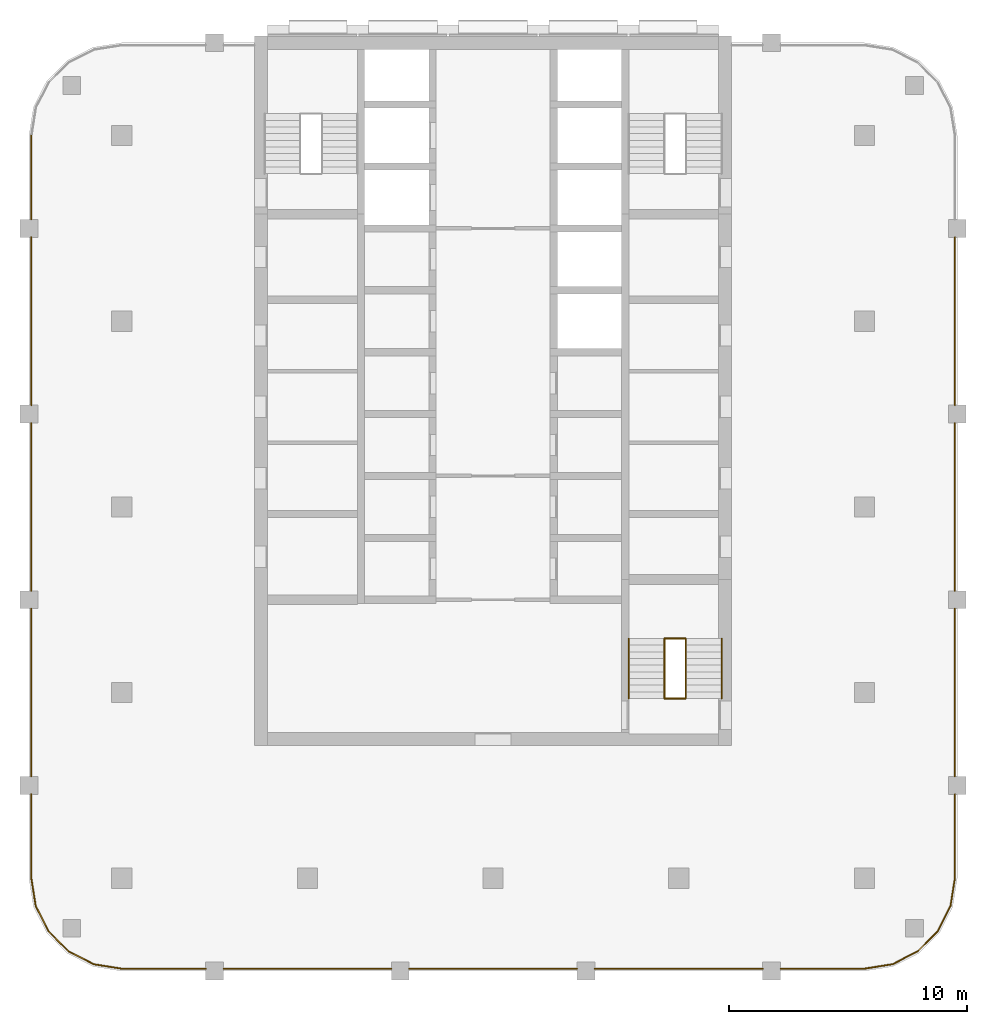
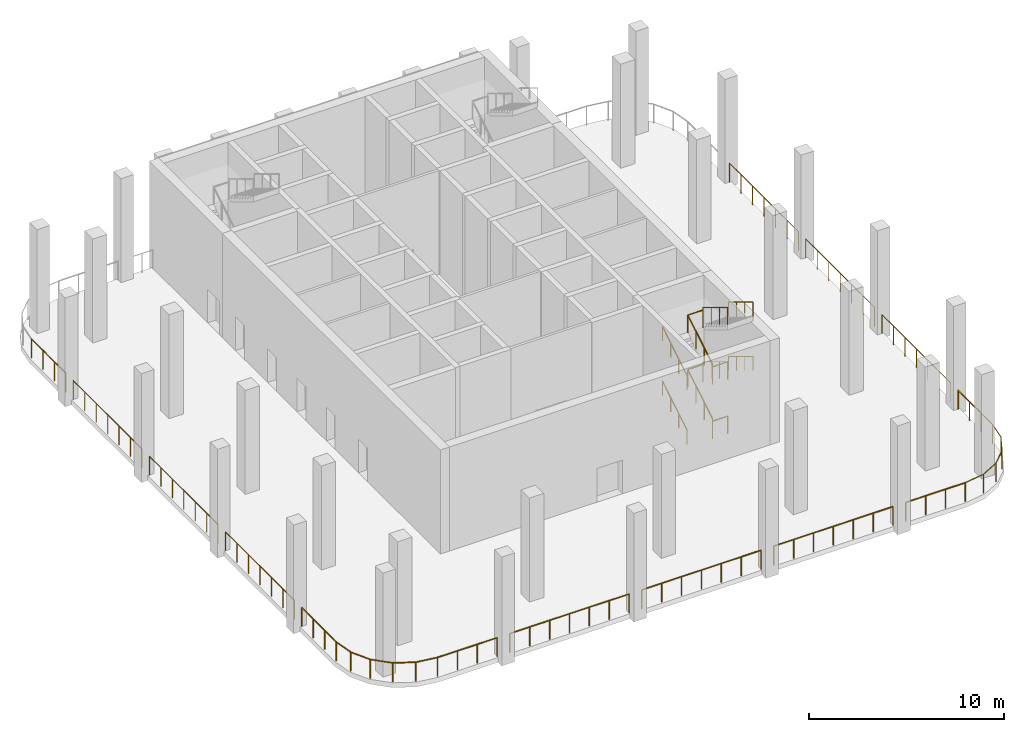
# One storey, part 8 of 10: 28 railings, 1 element without a shape of its own.
"""IFC4 building model written with IfcOpenShell, lengths in metres."""

from ifc_helpers import new_model, si_unit, direction, frame, origin, origin_2d, place, context, subcontext, project, spatial, circle, extrude, material, type_object, element, aggregate, save


model = new_model("IFC4")

# Units and contexts
model_context = context("Model", 3, precision=1e-05, world=origin(), true_north=direction((0.0, 1.0)))
body_context = subcontext(model_context, "Body", "Model", "MODEL_VIEW")
ifc_project = project(units=[si_unit("LENGTHUNIT", "METRE"), si_unit("AREAUNIT", "SQUARE_METRE"), si_unit("VOLUMEUNIT", "CUBIC_METRE"), si_unit("PLANEANGLEUNIT", "RADIAN"), si_unit("MASSUNIT", "GRAM", prefix="KILO")], contexts=[model_context])

# Site, building, storey
site_placement = place(None, origin())
site = spatial("IfcSite", under=ifc_project, at=site_placement, CompositionType="ELEMENT")
building_placement = place(site_placement, origin())
building = spatial("IfcBuilding", under=site, at=building_placement, Name="Ludao Terraces", CompositionType="ELEMENT")
storey_placement = place(building_placement, frame((0.0, 0.0, 172.39990234375)))
storey = spatial("IfcBuildingStorey", under=building, at=storey_placement, Name="L47", CompositionType="ELEMENT", Elevation=172.39990234375)

# Railings
ifc_material_1 = material(Name="Steel Q235", Category="steel")
railing_type_1 = type_object("IfcRailingType", Name="ENV Open-edge guard 1200", PredefinedType="GUARDRAIL", material=ifc_material_1)
railing_1_placement = place(storey_placement, frame((69.39990234375, 45.60009765625, 0.0)))
element("IfcRailing", 1, at=railing_1_placement, inside=storey, type_object=railing_type_1, Name="Guard L47 S1", PredefinedType="GUARDRAIL", context=body_context, shape_type="SweptSolid", body=[
    extrude(circle(Radius=0.02392578125, at=origin_2d()), frame((0.0, 0.0, 1.17578125), z_axis=(1.0, 0.0, 0.0), x_axis=(0.0, 1.0, 0.0)), (0.0, 0.0, 1.0), 3.525146484375),
    extrude(circle(Radius=0.02099609375, at=origin_2d()), origin(), (0.0, 0.0, 1.0), 1.15185546875),
    extrude(circle(Radius=0.02099609375, at=origin_2d()), frame((1.175048828125, 0.0, 0.0)), (0.0, 0.0, 1.0), 1.15185546875),
    extrude(circle(Radius=0.02099609375, at=origin_2d()), frame((2.35009765625, 0.0, 0.0)), (0.0, 0.0, 1.0), 1.15185546875),
    extrude(circle(Radius=0.02099609375, at=origin_2d()), frame((3.525146484375, 0.0, 0.0)), (0.0, 0.0, 1.0), 1.15185546875),
])
railing_2_placement = place(storey_placement, frame((73.675048828125, 45.60009765625, 0.0)))
element("IfcRailing", 2, at=railing_2_placement, inside=storey, type_object=railing_type_1, Name="Guard L47 S2", PredefinedType="GUARDRAIL", context=body_context, shape_type="SweptSolid", body=[
    extrude(circle(Radius=0.02392578125, at=origin_2d()), frame((0.0, 0.0, 1.17578125), z_axis=(1.0, 0.0, 0.0), x_axis=(0.0, 1.0, 0.0)), (0.0, 0.0, 1.0), 7.050048828125),
    extrude(circle(Radius=0.02099609375, at=origin_2d()), origin(), (0.0, 0.0, 1.0), 1.15185546875),
    extrude(circle(Radius=0.02099609375, at=origin_2d()), frame((1.175048828125, 0.0, 0.0)), (0.0, 0.0, 1.0), 1.15185546875),
    extrude(circle(Radius=0.02099609375, at=origin_2d()), frame((2.35009765625, 0.0, 0.0)), (0.0, 0.0, 1.0), 1.15185546875),
    extrude(circle(Radius=0.02099609375, at=origin_2d()), frame((3.52490234375, 0.0, 0.0)), (0.0, 0.0, 1.0), 1.15185546875),
    extrude(circle(Radius=0.02099609375, at=origin_2d()), frame((4.699951171875, 0.0, 0.0)), (0.0, 0.0, 1.0), 1.15185546875),
    extrude(circle(Radius=0.02099609375, at=origin_2d()), frame((5.875, 0.0, 0.0)), (0.0, 0.0, 1.0), 1.15185546875),
    extrude(circle(Radius=0.02099609375, at=origin_2d()), frame((7.050048828125, 0.0, 0.0)), (0.0, 0.0, 1.0), 1.15185546875),
])
railing_3_placement = place(storey_placement, frame((81.47509765625, 45.60009765625, 0.0)))
element("IfcRailing", 3, at=railing_3_placement, inside=storey, type_object=railing_type_1, Name="Guard L47 S3", PredefinedType="GUARDRAIL", context=body_context, shape_type="SweptSolid", body=[
    extrude(circle(Radius=0.02392578125, at=origin_2d()), frame((0.0, 0.0, 1.17578125), z_axis=(1.0, 0.0, 0.0), x_axis=(0.0, 1.0, 0.0)), (0.0, 0.0, 1.0), 7.0498046875),
    extrude(circle(Radius=0.02099609375, at=origin_2d()), origin(), (0.0, 0.0, 1.0), 1.15185546875),
    extrude(circle(Radius=0.02099609375, at=origin_2d()), frame((1.175048828125, 0.0, 0.0)), (0.0, 0.0, 1.0), 1.15185546875),
    extrude(circle(Radius=0.02099609375, at=origin_2d()), frame((2.349853515625, 0.0, 0.0)), (0.0, 0.0, 1.0), 1.15185546875),
    extrude(circle(Radius=0.02099609375, at=origin_2d()), frame((3.52490234375, 0.0, 0.0)), (0.0, 0.0, 1.0), 1.15185546875),
    extrude(circle(Radius=0.02099609375, at=origin_2d()), frame((4.699951171875, 0.0, 0.0)), (0.0, 0.0, 1.0), 1.15185546875),
    extrude(circle(Radius=0.02099609375, at=origin_2d()), frame((5.874755859375, 0.0, 0.0)), (0.0, 0.0, 1.0), 1.15185546875),
    extrude(circle(Radius=0.02099609375, at=origin_2d()), frame((7.0498046875, 0.0, 0.0)), (0.0, 0.0, 1.0), 1.15185546875),
])
railing_4_placement = place(storey_placement, frame((89.27490234375, 45.60009765625, 0.0)))
element("IfcRailing", 4, at=railing_4_placement, inside=storey, type_object=railing_type_1, Name="Guard L47 S4", PredefinedType="GUARDRAIL", context=body_context, shape_type="SweptSolid", body=[
    extrude(circle(Radius=0.02392578125, at=origin_2d()), frame((0.0, 0.0, 1.17578125), z_axis=(1.0, 0.0, 0.0), x_axis=(0.0, 1.0, 0.0)), (0.0, 0.0, 1.0), 7.050048828125),
    extrude(circle(Radius=0.02099609375, at=origin_2d()), origin(), (0.0, 0.0, 1.0), 1.15185546875),
    extrude(circle(Radius=0.02099609375, at=origin_2d()), frame((1.175048828125, 0.0, 0.0)), (0.0, 0.0, 1.0), 1.15185546875),
    extrude(circle(Radius=0.02099609375, at=origin_2d()), frame((2.35009765625, 0.0, 0.0)), (0.0, 0.0, 1.0), 1.15185546875),
    extrude(circle(Radius=0.02099609375, at=origin_2d()), frame((3.52490234375, 0.0, 0.0)), (0.0, 0.0, 1.0), 1.15185546875),
    extrude(circle(Radius=0.02099609375, at=origin_2d()), frame((4.699951171875, 0.0, 0.0)), (0.0, 0.0, 1.0), 1.15185546875),
    extrude(circle(Radius=0.02099609375, at=origin_2d()), frame((5.875, 0.0, 0.0)), (0.0, 0.0, 1.0), 1.15185546875),
    extrude(circle(Radius=0.02099609375, at=origin_2d()), frame((7.050048828125, 0.0, 0.0)), (0.0, 0.0, 1.0), 1.15185546875),
])
railing_5_placement = place(storey_placement, frame((97.074951171875, 45.60009765625, 0.0)))
element("IfcRailing", 5, at=railing_5_placement, inside=storey, type_object=railing_type_1, Name="Guard L47 S5", PredefinedType="GUARDRAIL", context=body_context, shape_type="SweptSolid", body=[
    extrude(circle(Radius=0.02392578125, at=origin_2d()), frame((0.0, 0.0, 1.17578125), z_axis=(1.0, 0.0, 0.0), x_axis=(0.0, 1.0, 0.0)), (0.0, 0.0, 1.0), 3.525146484375),
    extrude(circle(Radius=0.02099609375, at=origin_2d()), origin(), (0.0, 0.0, 1.0), 1.15185546875),
    extrude(circle(Radius=0.02099609375, at=origin_2d()), frame((1.175048828125, 0.0, 0.0)), (0.0, 0.0, 1.0), 1.15185546875),
    extrude(circle(Radius=0.02099609375, at=origin_2d()), frame((2.35009765625, 0.0, 0.0)), (0.0, 0.0, 1.0), 1.15185546875),
    extrude(circle(Radius=0.02099609375, at=origin_2d()), frame((3.525146484375, 0.0, 0.0)), (0.0, 0.0, 1.0), 1.15185546875),
])
railing_6_placement = place(storey_placement, frame((104.39990234375, 49.39990234375, 0.0)))
element("IfcRailing", 6, at=railing_6_placement, inside=storey, type_object=railing_type_1, Name="Guard L47 E1", PredefinedType="GUARDRAIL", context=body_context, shape_type="SweptSolid", body=[
    extrude(circle(Radius=0.02392578125, at=origin_2d()), frame((0.0, 0.0, 1.17578125), z_axis=(0.0, 1.0, 0.0), x_axis=(-1.0, 0.0, 0.0)), (0.0, 0.0, 1.0), 3.525146484375),
    extrude(circle(Radius=0.02099609375, at=origin_2d()), origin(), (0.0, 0.0, 1.0), 1.15185546875),
    extrude(circle(Radius=0.02099609375, at=origin_2d()), frame((0.0, 1.175048828125, 0.0)), (0.0, 0.0, 1.0), 1.15185546875),
    extrude(circle(Radius=0.02099609375, at=origin_2d()), frame((0.0, 2.35009765625, 0.0)), (0.0, 0.0, 1.0), 1.15185546875),
    extrude(circle(Radius=0.02099609375, at=origin_2d()), frame((0.0, 3.525146484375, 0.0)), (0.0, 0.0, 1.0), 1.15185546875),
])
railing_7_placement = place(storey_placement, frame((104.39990234375, 53.675048828125, 0.0)))
element("IfcRailing", 7, at=railing_7_placement, inside=storey, type_object=railing_type_1, Name="Guard L47 E2", PredefinedType="GUARDRAIL", context=body_context, shape_type="SweptSolid", body=[
    extrude(circle(Radius=0.02392578125, at=origin_2d()), frame((0.0, 0.0, 1.17578125), z_axis=(0.0, 1.0, 0.0), x_axis=(-1.0, 0.0, 0.0)), (0.0, 0.0, 1.0), 7.050048828125),
    extrude(circle(Radius=0.02099609375, at=origin_2d()), origin(), (0.0, 0.0, 1.0), 1.15185546875),
    extrude(circle(Radius=0.02099609375, at=origin_2d()), frame((0.0, 1.175048828125, 0.0)), (0.0, 0.0, 1.0), 1.15185546875),
    extrude(circle(Radius=0.02099609375, at=origin_2d()), frame((0.0, 2.35009765625, 0.0)), (0.0, 0.0, 1.0), 1.15185546875),
    extrude(circle(Radius=0.02099609375, at=origin_2d()), frame((0.0, 3.52490234375, 0.0)), (0.0, 0.0, 1.0), 1.15185546875),
    extrude(circle(Radius=0.02099609375, at=origin_2d()), frame((0.0, 4.699951171875, 0.0)), (0.0, 0.0, 1.0), 1.15185546875),
    extrude(circle(Radius=0.02099609375, at=origin_2d()), frame((0.0, 5.875, 0.0)), (0.0, 0.0, 1.0), 1.15185546875),
    extrude(circle(Radius=0.02099609375, at=origin_2d()), frame((0.0, 7.050048828125, 0.0)), (0.0, 0.0, 1.0), 1.15185546875),
])
railing_8_placement = place(storey_placement, frame((104.39990234375, 61.47509765625, 0.0)))
element("IfcRailing", 8, at=railing_8_placement, inside=storey, type_object=railing_type_1, Name="Guard L47 E3", PredefinedType="GUARDRAIL", context=body_context, shape_type="SweptSolid", body=[
    extrude(circle(Radius=0.02392578125, at=origin_2d()), frame((0.0, 0.0, 1.17578125), z_axis=(0.0, 1.0, 0.0), x_axis=(-1.0, 0.0, 0.0)), (0.0, 0.0, 1.0), 7.0498046875),
    extrude(circle(Radius=0.02099609375, at=origin_2d()), origin(), (0.0, 0.0, 1.0), 1.15185546875),
    extrude(circle(Radius=0.02099609375, at=origin_2d()), frame((0.0, 1.175048828125, 0.0)), (0.0, 0.0, 1.0), 1.15185546875),
    extrude(circle(Radius=0.02099609375, at=origin_2d()), frame((0.0, 2.349853515625, 0.0)), (0.0, 0.0, 1.0), 1.15185546875),
    extrude(circle(Radius=0.02099609375, at=origin_2d()), frame((0.0, 3.52490234375, 0.0)), (0.0, 0.0, 1.0), 1.15185546875),
    extrude(circle(Radius=0.02099609375, at=origin_2d()), frame((0.0, 4.699951171875, 0.0)), (0.0, 0.0, 1.0), 1.15185546875),
    extrude(circle(Radius=0.02099609375, at=origin_2d()), frame((0.0, 5.874755859375, 0.0)), (0.0, 0.0, 1.0), 1.15185546875),
    extrude(circle(Radius=0.02099609375, at=origin_2d()), frame((0.0, 7.0498046875, 0.0)), (0.0, 0.0, 1.0), 1.15185546875),
])
railing_9_placement = place(storey_placement, frame((104.39990234375, 69.27490234375, 0.0)))
element("IfcRailing", 9, at=railing_9_placement, inside=storey, type_object=railing_type_1, Name="Guard L47 E4", PredefinedType="GUARDRAIL", context=body_context, shape_type="SweptSolid", body=[
    extrude(circle(Radius=0.02392578125, at=origin_2d()), frame((0.0, 0.0, 1.17578125), z_axis=(0.0, 1.0, 0.0), x_axis=(-1.0, 0.0, 0.0)), (0.0, 0.0, 1.0), 7.050048828125),
    extrude(circle(Radius=0.02099609375, at=origin_2d()), origin(), (0.0, 0.0, 1.0), 1.15185546875),
    extrude(circle(Radius=0.02099609375, at=origin_2d()), frame((0.0, 1.175048828125, 0.0)), (0.0, 0.0, 1.0), 1.15185546875),
    extrude(circle(Radius=0.02099609375, at=origin_2d()), frame((0.0, 2.35009765625, 0.0)), (0.0, 0.0, 1.0), 1.15185546875),
    extrude(circle(Radius=0.02099609375, at=origin_2d()), frame((0.0, 3.52490234375, 0.0)), (0.0, 0.0, 1.0), 1.15185546875),
    extrude(circle(Radius=0.02099609375, at=origin_2d()), frame((0.0, 4.699951171875, 0.0)), (0.0, 0.0, 1.0), 1.15185546875),
    extrude(circle(Radius=0.02099609375, at=origin_2d()), frame((0.0, 5.875, 0.0)), (0.0, 0.0, 1.0), 1.15185546875),
    extrude(circle(Radius=0.02099609375, at=origin_2d()), frame((0.0, 7.050048828125, 0.0)), (0.0, 0.0, 1.0), 1.15185546875),
])
railing_10_placement = place(storey_placement, frame((65.60009765625, 49.39990234375, 0.0)))
element("IfcRailing", 10, at=railing_10_placement, inside=storey, type_object=railing_type_1, Name="Guard L47 W1", PredefinedType="GUARDRAIL", context=body_context, shape_type="SweptSolid", body=[
    extrude(circle(Radius=0.02392578125, at=origin_2d()), frame((0.0, 0.0, 1.17578125), z_axis=(0.0, 1.0, 0.0), x_axis=(-1.0, 0.0, 0.0)), (0.0, 0.0, 1.0), 3.525146484375),
    extrude(circle(Radius=0.02099609375, at=origin_2d()), origin(), (0.0, 0.0, 1.0), 1.15185546875),
    extrude(circle(Radius=0.02099609375, at=origin_2d()), frame((0.0, 1.175048828125, 0.0)), (0.0, 0.0, 1.0), 1.15185546875),
    extrude(circle(Radius=0.02099609375, at=origin_2d()), frame((0.0, 2.35009765625, 0.0)), (0.0, 0.0, 1.0), 1.15185546875),
    extrude(circle(Radius=0.02099609375, at=origin_2d()), frame((0.0, 3.525146484375, 0.0)), (0.0, 0.0, 1.0), 1.15185546875),
])
railing_11_placement = place(storey_placement, frame((65.60009765625, 53.675048828125, 0.0)))
element("IfcRailing", 11, at=railing_11_placement, inside=storey, type_object=railing_type_1, Name="Guard L47 W2", PredefinedType="GUARDRAIL", context=body_context, shape_type="SweptSolid", body=[
    extrude(circle(Radius=0.02392578125, at=origin_2d()), frame((0.0, 0.0, 1.17578125), z_axis=(0.0, 1.0, 0.0), x_axis=(-1.0, 0.0, 0.0)), (0.0, 0.0, 1.0), 7.050048828125),
    extrude(circle(Radius=0.02099609375, at=origin_2d()), origin(), (0.0, 0.0, 1.0), 1.15185546875),
    extrude(circle(Radius=0.02099609375, at=origin_2d()), frame((0.0, 1.175048828125, 0.0)), (0.0, 0.0, 1.0), 1.15185546875),
    extrude(circle(Radius=0.02099609375, at=origin_2d()), frame((0.0, 2.35009765625, 0.0)), (0.0, 0.0, 1.0), 1.15185546875),
    extrude(circle(Radius=0.02099609375, at=origin_2d()), frame((0.0, 3.52490234375, 0.0)), (0.0, 0.0, 1.0), 1.15185546875),
    extrude(circle(Radius=0.02099609375, at=origin_2d()), frame((0.0, 4.699951171875, 0.0)), (0.0, 0.0, 1.0), 1.15185546875),
    extrude(circle(Radius=0.02099609375, at=origin_2d()), frame((0.0, 5.875, 0.0)), (0.0, 0.0, 1.0), 1.15185546875),
    extrude(circle(Radius=0.02099609375, at=origin_2d()), frame((0.0, 7.050048828125, 0.0)), (0.0, 0.0, 1.0), 1.15185546875),
])
railing_12_placement = place(storey_placement, frame((65.60009765625, 61.47509765625, 0.0)))
element("IfcRailing", 12, at=railing_12_placement, inside=storey, type_object=railing_type_1, Name="Guard L47 W3", PredefinedType="GUARDRAIL", context=body_context, shape_type="SweptSolid", body=[
    extrude(circle(Radius=0.02392578125, at=origin_2d()), frame((0.0, 0.0, 1.17578125), z_axis=(0.0, 1.0, 0.0), x_axis=(-1.0, 0.0, 0.0)), (0.0, 0.0, 1.0), 7.0498046875),
    extrude(circle(Radius=0.02099609375, at=origin_2d()), origin(), (0.0, 0.0, 1.0), 1.15185546875),
    extrude(circle(Radius=0.02099609375, at=origin_2d()), frame((0.0, 1.175048828125, 0.0)), (0.0, 0.0, 1.0), 1.15185546875),
    extrude(circle(Radius=0.02099609375, at=origin_2d()), frame((0.0, 2.349853515625, 0.0)), (0.0, 0.0, 1.0), 1.15185546875),
    extrude(circle(Radius=0.02099609375, at=origin_2d()), frame((0.0, 3.52490234375, 0.0)), (0.0, 0.0, 1.0), 1.15185546875),
    extrude(circle(Radius=0.02099609375, at=origin_2d()), frame((0.0, 4.699951171875, 0.0)), (0.0, 0.0, 1.0), 1.15185546875),
    extrude(circle(Radius=0.02099609375, at=origin_2d()), frame((0.0, 5.874755859375, 0.0)), (0.0, 0.0, 1.0), 1.15185546875),
    extrude(circle(Radius=0.02099609375, at=origin_2d()), frame((0.0, 7.0498046875, 0.0)), (0.0, 0.0, 1.0), 1.15185546875),
])
railing_13_placement = place(storey_placement, frame((65.60009765625, 69.27490234375, 0.0)))
element("IfcRailing", 13, at=railing_13_placement, inside=storey, type_object=railing_type_1, Name="Guard L47 W4", PredefinedType="GUARDRAIL", context=body_context, shape_type="SweptSolid", body=[
    extrude(circle(Radius=0.02392578125, at=origin_2d()), frame((0.0, 0.0, 1.17578125), z_axis=(0.0, 1.0, 0.0), x_axis=(-1.0, 0.0, 0.0)), (0.0, 0.0, 1.0), 7.050048828125),
    extrude(circle(Radius=0.02099609375, at=origin_2d()), origin(), (0.0, 0.0, 1.0), 1.15185546875),
    extrude(circle(Radius=0.02099609375, at=origin_2d()), frame((0.0, 1.175048828125, 0.0)), (0.0, 0.0, 1.0), 1.15185546875),
    extrude(circle(Radius=0.02099609375, at=origin_2d()), frame((0.0, 2.35009765625, 0.0)), (0.0, 0.0, 1.0), 1.15185546875),
    extrude(circle(Radius=0.02099609375, at=origin_2d()), frame((0.0, 3.52490234375, 0.0)), (0.0, 0.0, 1.0), 1.15185546875),
    extrude(circle(Radius=0.02099609375, at=origin_2d()), frame((0.0, 4.699951171875, 0.0)), (0.0, 0.0, 1.0), 1.15185546875),
    extrude(circle(Radius=0.02099609375, at=origin_2d()), frame((0.0, 5.875, 0.0)), (0.0, 0.0, 1.0), 1.15185546875),
    extrude(circle(Radius=0.02099609375, at=origin_2d()), frame((0.0, 7.050048828125, 0.0)), (0.0, 0.0, 1.0), 1.15185546875),
])
railing_14_placement = place(storey_placement, frame((65.60009765625, 77.074951171875, 0.0)))
element("IfcRailing", 14, at=railing_14_placement, inside=storey, type_object=railing_type_1, Name="Guard L47 W5", PredefinedType="GUARDRAIL", context=body_context, shape_type="SweptSolid", body=[
    extrude(circle(Radius=0.02392578125, at=origin_2d()), frame((0.0, 0.0, 1.17578125), z_axis=(0.0, 1.0, 0.0), x_axis=(-1.0, 0.0, 0.0)), (0.0, 0.0, 1.0), 3.525146484375),
    extrude(circle(Radius=0.02099609375, at=origin_2d()), origin(), (0.0, 0.0, 1.0), 1.15185546875),
    extrude(circle(Radius=0.02099609375, at=origin_2d()), frame((0.0, 1.175048828125, 0.0)), (0.0, 0.0, 1.0), 1.15185546875),
    extrude(circle(Radius=0.02099609375, at=origin_2d()), frame((0.0, 2.35009765625, 0.0)), (0.0, 0.0, 1.0), 1.15185546875),
    extrude(circle(Radius=0.02099609375, at=origin_2d()), frame((0.0, 3.525146484375, 0.0)), (0.0, 0.0, 1.0), 1.15185546875),
])
railing_15_placement = place(storey_placement, frame((100.60009765625, 45.60009765625, 0.0)))
element("IfcRailing", 15, at=railing_15_placement, inside=storey, type_object=railing_type_1, Name="Guard L47 SE", PredefinedType="GUARDRAIL", context=body_context, shape_type="SweptSolid", body=[
    extrude(circle(Radius=0.02392578125, at=origin_2d()), frame((0.0, 0.0, 1.17578125), z_axis=(0.987709617879, 0.156300066377, 0.0), x_axis=(-0.156300066377, 0.987709617879, 0.0)), (0.0, 0.0, 1.0), 1.188720703125),
    extrude(circle(Radius=0.02392578125, at=origin_2d()), frame((1.174072265625, 0.185791015625, 1.17578125), z_axis=(0.890992479772, 0.454018062405, 0.0), x_axis=(-0.454018062405, 0.890992479772, 0.0)), (0.0, 0.0, 1.0), 1.18896484375),
    extrude(circle(Radius=0.02392578125, at=origin_2d()), frame((2.2333984375, 0.7255859375, 1.17578125), z_axis=(0.707106781187, 0.707106781187, 0.0), x_axis=(-0.707106781187, 0.707106781187, 0.0)), (0.0, 0.0, 1.0), 1.189208984375),
    extrude(circle(Radius=0.02392578125, at=origin_2d()), frame((3.07421875, 1.56640625, 1.17578125), z_axis=(0.454018062405, 0.890992479772, 0.0), x_axis=(-0.890992479772, 0.454018062405, 0.0)), (0.0, 0.0, 1.0), 1.18896484375),
    extrude(circle(Radius=0.02392578125, at=origin_2d()), frame((3.614013671875, 2.625732421875, 1.17578125), z_axis=(0.156300066377, 0.987709617879, 0.0), x_axis=(-0.987709617879, 0.156300066377, 0.0)), (0.0, 0.0, 1.0), 1.188720703125),
    extrude(circle(Radius=0.02099609375, at=origin_2d()), origin(), (0.0, 0.0, 1.0), 1.15185546875),
    extrude(circle(Radius=0.02099609375, at=origin_2d()), frame((1.174072265625, 0.185791015625, 0.0)), (0.0, 0.0, 1.0), 1.15185546875),
    extrude(circle(Radius=0.02099609375, at=origin_2d()), frame((2.2333984375, 0.7255859375, 0.0)), (0.0, 0.0, 1.0), 1.15185546875),
    extrude(circle(Radius=0.02099609375, at=origin_2d()), frame((3.07421875, 1.56640625, 0.0)), (0.0, 0.0, 1.0), 1.15185546875),
    extrude(circle(Radius=0.02099609375, at=origin_2d()), frame((3.614013671875, 2.625732421875, 0.0)), (0.0, 0.0, 1.0), 1.15185546875),
    extrude(circle(Radius=0.02099609375, at=origin_2d()), frame((3.7998046875, 3.7998046875, 0.0)), (0.0, 0.0, 1.0), 1.15185546875),
])
railing_16_placement = place(storey_placement, frame((65.60009765625, 49.39990234375, 0.0)))
element("IfcRailing", 16, at=railing_16_placement, inside=storey, type_object=railing_type_1, Name="Guard L47 SW", PredefinedType="GUARDRAIL", context=body_context, shape_type="SweptSolid", body=[
    extrude(circle(Radius=0.02392578125, at=origin_2d()), frame((0.0, 0.0, 1.17578125), z_axis=(0.156300066377, -0.987709617879, 0.0), x_axis=(0.987709617879, 0.156300066377, 0.0)), (0.0, 0.0, 1.0), 1.188720703125),
    extrude(circle(Radius=0.02392578125, at=origin_2d()), frame((0.185791015625, -1.174072265625, 1.17578125), z_axis=(0.454018062405, -0.890992479772, 0.0), x_axis=(0.890992479772, 0.454018062405, 0.0)), (0.0, 0.0, 1.0), 1.18896484375),
    extrude(circle(Radius=0.02392578125, at=origin_2d()), frame((0.7255859375, -2.2333984375, 1.17578125), z_axis=(0.707106781187, -0.707106781187, 0.0), x_axis=(0.707106781187, 0.707106781187, 0.0)), (0.0, 0.0, 1.0), 1.189208984375),
    extrude(circle(Radius=0.02392578125, at=origin_2d()), frame((1.56640625, -3.07421875, 1.17578125), z_axis=(0.890992479772, -0.454018062405, 0.0), x_axis=(0.454018062405, 0.890992479772, 0.0)), (0.0, 0.0, 1.0), 1.18896484375),
    extrude(circle(Radius=0.02392578125, at=origin_2d()), frame((2.625732421875, -3.614013671875, 1.17578125), z_axis=(0.987709617879, -0.156300066377, 0.0), x_axis=(0.156300066377, 0.987709617879, 0.0)), (0.0, 0.0, 1.0), 1.188720703125),
    extrude(circle(Radius=0.02099609375, at=origin_2d()), origin(), (0.0, 0.0, 1.0), 1.15185546875),
    extrude(circle(Radius=0.02099609375, at=origin_2d()), frame((0.185791015625, -1.174072265625, 0.0)), (0.0, 0.0, 1.0), 1.15185546875),
    extrude(circle(Radius=0.02099609375, at=origin_2d()), frame((0.7255859375, -2.2333984375, 0.0)), (0.0, 0.0, 1.0), 1.15185546875),
    extrude(circle(Radius=0.02099609375, at=origin_2d()), frame((1.56640625, -3.07421875, 0.0)), (0.0, 0.0, 1.0), 1.15185546875),
    extrude(circle(Radius=0.02099609375, at=origin_2d()), frame((2.625732421875, -3.614013671875, 0.0)), (0.0, 0.0, 1.0), 1.15185546875),
    extrude(circle(Radius=0.02099609375, at=origin_2d()), frame((3.7998046875, -3.7998046875, 0.0)), (0.0, 0.0, 1.0), 1.15185546875),
])

# Stair, railings
ifc_material_2 = material(Name="Concrete C40", Category="concrete")
stair_type = type_object("IfcStairType", Name="INT Stair", PredefinedType="HALF_TURN_STAIR", material=ifc_material_2)
stair_placement = place(storey_placement, origin())
stair = element("IfcStair", 17, at=stair_placement, inside=storey, type_object=stair_type, Name="EXIT STAIR 3", PredefinedType="HALF_TURN_STAIR")
ifc_material_3 = material(Name="Stainless steel 304", Category="steel")
railing_type_2 = type_object("IfcRailingType", Name="INT Stair guard 1100", PredefinedType="GUARDRAIL", material=ifc_material_3)
railing_17_placement = place(storey_placement, frame((92.199951171875, 56.949951171875, 0.170166015625)))
railing_17 = element("IfcRailing", 18, at=railing_17_placement, type_object=railing_type_2, Name="ST-L47-S3-R1G", PredefinedType="GUARDRAIL", context=body_context, shape_type="SweptSolid", body=[
    extrude(circle(Radius=0.02392578125, at=origin_2d()), frame((0.0, 0.0, 1.076171875), z_axis=(0.0, 0.85478489116, 0.518982456201), x_axis=(-1.0, 0.0, 0.0)), (0.0, 0.0, 1.0), 2.9482421875),
    extrude(circle(Radius=0.02099609375, at=origin_2d()), origin(), (0.0, 0.0, 1.0), 1.052001953125),
    extrude(circle(Radius=0.02099609375, at=origin_2d()), frame((0.0, 0.840087890625, 0.510009765625)), (0.0, 0.0, 1.0), 1.052001953125),
    extrude(circle(Radius=0.02099609375, at=origin_2d()), frame((0.0, 1.679931640625, 1.02001953125)), (0.0, 0.0, 1.0), 1.052001953125),
    extrude(circle(Radius=0.02099609375, at=origin_2d()), frame((0.0, 2.52001953125, 1.530029296875)), (0.0, 0.0, 1.0), 1.052001953125),
])
railing_18_placement = place(storey_placement, frame((93.10009765625, 59.469970703125, 1.8701171875)))
railing_18 = element("IfcRailing", 19, at=railing_18_placement, type_object=railing_type_2, Name="ST-L47-S3-R2G", PredefinedType="GUARDRAIL", context=body_context, shape_type="SweptSolid", body=[
    extrude(circle(Radius=0.02392578125, at=origin_2d()), frame((0.0, 0.0, 1.076171875), z_axis=(0.0, -0.85478489116, 0.518982456201), x_axis=(1.0, 0.0, 0.0)), (0.0, 0.0, 1.0), 2.9482421875),
    extrude(circle(Radius=0.02099609375, at=origin_2d()), origin(), (0.0, 0.0, 1.0), 1.052001953125),
    extrude(circle(Radius=0.02099609375, at=origin_2d()), frame((0.0, -0.840087890625, 0.510009765625)), (0.0, 0.0, 1.0), 1.052001953125),
    extrude(circle(Radius=0.02099609375, at=origin_2d()), frame((0.0, -1.679931640625, 1.02001953125)), (0.0, 0.0, 1.0), 1.052001953125),
    extrude(circle(Radius=0.02099609375, at=origin_2d()), frame((0.0, -2.52001953125, 1.530029296875)), (0.0, 0.0, 1.0), 1.052001953125),
])
railing_19_placement = place(storey_placement, frame((92.199951171875, 56.949951171875, 3.570068359375)))
railing_19 = element("IfcRailing", 20, at=railing_19_placement, type_object=railing_type_2, Name="ST-L47-S3-R3G", PredefinedType="GUARDRAIL", context=body_context, shape_type="SweptSolid", body=[
    extrude(circle(Radius=0.02392578125, at=origin_2d()), frame((0.0, 0.0, 1.076171875), z_axis=(0.0, 0.85478489116, 0.518982456201), x_axis=(-1.0, 0.0, 0.0)), (0.0, 0.0, 1.0), 2.9482421875),
    extrude(circle(Radius=0.02099609375, at=origin_2d()), origin(), (0.0, 0.0, 1.0), 1.052001953125),
    extrude(circle(Radius=0.02099609375, at=origin_2d()), frame((0.0, 0.840087890625, 0.510009765625)), (0.0, 0.0, 1.0), 1.052001953125),
    extrude(circle(Radius=0.02099609375, at=origin_2d()), frame((0.0, 1.679931640625, 1.02001953125)), (0.0, 0.0, 1.0), 1.052001953125),
    extrude(circle(Radius=0.02099609375, at=origin_2d()), frame((0.0, 2.52001953125, 1.530029296875)), (0.0, 0.0, 1.0), 1.052001953125),
])
railing_20_placement = place(storey_placement, frame((93.10009765625, 59.469970703125, 5.27001953125)))
railing_20 = element("IfcRailing", 21, at=railing_20_placement, type_object=railing_type_2, Name="ST-L47-S3-R4G", PredefinedType="GUARDRAIL", context=body_context, shape_type="SweptSolid", body=[
    extrude(circle(Radius=0.02392578125, at=origin_2d()), frame((0.0, 0.0, 1.076171875), z_axis=(0.0, -0.85478489116, 0.518982456201), x_axis=(1.0, 0.0, 0.0)), (0.0, 0.0, 1.0), 2.9482421875),
    extrude(circle(Radius=0.02099609375, at=origin_2d()), origin(), (0.0, 0.0, 1.0), 1.052001953125),
    extrude(circle(Radius=0.02099609375, at=origin_2d()), frame((0.0, -0.840087890625, 0.510009765625)), (0.0, 0.0, 1.0), 1.052001953125),
    extrude(circle(Radius=0.02099609375, at=origin_2d()), frame((0.0, -1.679931640625, 1.02001953125)), (0.0, 0.0, 1.0), 1.052001953125),
    extrude(circle(Radius=0.02099609375, at=origin_2d()), frame((0.0, -2.52001953125, 1.530029296875)), (0.0, 0.0, 1.0), 1.052001953125),
])
railing_21_placement = place(storey_placement, frame((92.199951171875, 59.469970703125, 1.7001953125)))
railing_21 = element("IfcRailing", 22, at=railing_21_placement, type_object=railing_type_2, Name="ST-L47-S3-E1G", PredefinedType="GUARDRAIL", context=body_context, shape_type="SweptSolid", body=[
    extrude(circle(Radius=0.02392578125, at=origin_2d()), frame((0.0, 0.0, 1.076171875), z_axis=(1.0, 0.0, 0.0), x_axis=(0.0, 1.0, 0.0)), (0.0, 0.0, 1.0), 0.900146484375),
    extrude(circle(Radius=0.02099609375, at=origin_2d()), origin(), (0.0, 0.0, 1.0), 1.052001953125),
    extrude(circle(Radius=0.02099609375, at=origin_2d()), frame((0.900146484375, 0.0, 0.0)), (0.0, 0.0, 1.0), 1.052001953125),
])
railing_22_placement = place(storey_placement, frame((92.199951171875, 56.949951171875, 3.400146484375)))
railing_22 = element("IfcRailing", 23, at=railing_22_placement, type_object=railing_type_2, Name="ST-L47-S3-E2G", PredefinedType="GUARDRAIL", context=body_context, shape_type="SweptSolid", body=[
    extrude(circle(Radius=0.02392578125, at=origin_2d()), frame((0.0, 0.0, 1.076171875), z_axis=(1.0, 0.0, 0.0), x_axis=(0.0, 1.0, 0.0)), (0.0, 0.0, 1.0), 0.900146484375),
    extrude(circle(Radius=0.02099609375, at=origin_2d()), origin(), (0.0, 0.0, 1.0), 1.052001953125),
    extrude(circle(Radius=0.02099609375, at=origin_2d()), frame((0.900146484375, 0.0, 0.0)), (0.0, 0.0, 1.0), 1.052001953125),
])
railing_23_placement = place(storey_placement, frame((92.199951171875, 59.469970703125, 5.10009765625)))
railing_23 = element("IfcRailing", 24, at=railing_23_placement, type_object=railing_type_2, Name="ST-L47-S3-E3G", PredefinedType="GUARDRAIL", context=body_context, shape_type="SweptSolid", body=[
    extrude(circle(Radius=0.02392578125, at=origin_2d()), frame((0.0, 0.0, 1.076171875), z_axis=(1.0, 0.0, 0.0), x_axis=(0.0, 1.0, 0.0)), (0.0, 0.0, 1.0), 0.900146484375),
    extrude(circle(Radius=0.02099609375, at=origin_2d()), origin(), (0.0, 0.0, 1.0), 1.052001953125),
    extrude(circle(Radius=0.02099609375, at=origin_2d()), frame((0.900146484375, 0.0, 0.0)), (0.0, 0.0, 1.0), 1.052001953125),
])
railing_24_placement = place(storey_placement, frame((92.199951171875, 56.949951171875, 0.0)))
railing_24 = element("IfcRailing", 25, at=railing_24_placement, type_object=railing_type_2, Name="ST-L47-S3-E4G", PredefinedType="GUARDRAIL", context=body_context, shape_type="SweptSolid", body=[
    extrude(circle(Radius=0.02392578125, at=origin_2d()), frame((0.0, 0.0, 1.076171875), z_axis=(1.0, 0.0, 0.0), x_axis=(0.0, 1.0, 0.0)), (0.0, 0.0, 1.0), 0.900146484375),
    extrude(circle(Radius=0.02099609375, at=origin_2d()), origin(), (0.0, 0.0, 1.0), 1.052001953125),
    extrude(circle(Radius=0.02099609375, at=origin_2d()), frame((0.900146484375, 0.0, 0.0)), (0.0, 0.0, 1.0), 1.052001953125),
])
railing_type_3 = type_object("IfcRailingType", Name="INT Stair handrail 900", PredefinedType="HANDRAIL", material=ifc_material_3)
railing_25_placement = place(storey_placement, frame((90.699951171875, 56.949951171875, 0.170166015625)))
railing_25 = element("IfcRailing", 26, at=railing_25_placement, type_object=railing_type_3, Name="ST-L47-S3-R1H", PredefinedType="HANDRAIL", context=body_context, shape_type="SweptSolid", body=[
    extrude(circle(Radius=0.02392578125, at=origin_2d()), frame((0.0, 0.0, 0.8759765625), z_axis=(0.0, 0.85478489116, 0.518982456201), x_axis=(-1.0, 0.0, 0.0)), (0.0, 0.0, 1.0), 2.9482421875),
    extrude(circle(Radius=0.02099609375, at=origin_2d()), origin(), (0.0, 0.0, 1.0), 0.851806640625),
    extrude(circle(Radius=0.02099609375, at=origin_2d()), frame((0.0, 0.840087890625, 0.510009765625)), (0.0, 0.0, 1.0), 0.851806640625),
    extrude(circle(Radius=0.02099609375, at=origin_2d()), frame((0.0, 1.679931640625, 1.02001953125)), (0.0, 0.0, 1.0), 0.851806640625),
    extrude(circle(Radius=0.02099609375, at=origin_2d()), frame((0.0, 2.52001953125, 1.530029296875)), (0.0, 0.0, 1.0), 0.851806640625),
])
railing_26_placement = place(storey_placement, frame((94.60009765625, 59.469970703125, 1.8701171875)))
railing_26 = element("IfcRailing", 27, at=railing_26_placement, type_object=railing_type_3, Name="ST-L47-S3-R2H", PredefinedType="HANDRAIL", context=body_context, shape_type="SweptSolid", body=[
    extrude(circle(Radius=0.02392578125, at=origin_2d()), frame((0.0, 0.0, 0.8759765625), z_axis=(0.0, -0.85478489116, 0.518982456201), x_axis=(1.0, 0.0, 0.0)), (0.0, 0.0, 1.0), 2.9482421875),
    extrude(circle(Radius=0.02099609375, at=origin_2d()), origin(), (0.0, 0.0, 1.0), 0.851806640625),
    extrude(circle(Radius=0.02099609375, at=origin_2d()), frame((0.0, -0.840087890625, 0.510009765625)), (0.0, 0.0, 1.0), 0.851806640625),
    extrude(circle(Radius=0.02099609375, at=origin_2d()), frame((0.0, -1.679931640625, 1.02001953125)), (0.0, 0.0, 1.0), 0.851806640625),
    extrude(circle(Radius=0.02099609375, at=origin_2d()), frame((0.0, -2.52001953125, 1.530029296875)), (0.0, 0.0, 1.0), 0.851806640625),
])
railing_27_placement = place(storey_placement, frame((90.699951171875, 56.949951171875, 3.570068359375)))
railing_27 = element("IfcRailing", 28, at=railing_27_placement, type_object=railing_type_3, Name="ST-L47-S3-R3H", PredefinedType="HANDRAIL", context=body_context, shape_type="SweptSolid", body=[
    extrude(circle(Radius=0.02392578125, at=origin_2d()), frame((0.0, 0.0, 0.8759765625), z_axis=(0.0, 0.85478489116, 0.518982456201), x_axis=(-1.0, 0.0, 0.0)), (0.0, 0.0, 1.0), 2.9482421875),
    extrude(circle(Radius=0.02099609375, at=origin_2d()), origin(), (0.0, 0.0, 1.0), 0.851806640625),
    extrude(circle(Radius=0.02099609375, at=origin_2d()), frame((0.0, 0.840087890625, 0.510009765625)), (0.0, 0.0, 1.0), 0.851806640625),
    extrude(circle(Radius=0.02099609375, at=origin_2d()), frame((0.0, 1.679931640625, 1.02001953125)), (0.0, 0.0, 1.0), 0.851806640625),
    extrude(circle(Radius=0.02099609375, at=origin_2d()), frame((0.0, 2.52001953125, 1.530029296875)), (0.0, 0.0, 1.0), 0.851806640625),
])
railing_28_placement = place(storey_placement, frame((94.60009765625, 59.469970703125, 5.27001953125)))
railing_28 = element("IfcRailing", 29, at=railing_28_placement, type_object=railing_type_3, Name="ST-L47-S3-R4H", PredefinedType="HANDRAIL", context=body_context, shape_type="SweptSolid", body=[
    extrude(circle(Radius=0.02392578125, at=origin_2d()), frame((0.0, 0.0, 0.8759765625), z_axis=(0.0, -0.85478489116, 0.518982456201), x_axis=(1.0, 0.0, 0.0)), (0.0, 0.0, 1.0), 2.9482421875),
    extrude(circle(Radius=0.02099609375, at=origin_2d()), origin(), (0.0, 0.0, 1.0), 0.851806640625),
    extrude(circle(Radius=0.02099609375, at=origin_2d()), frame((0.0, -0.840087890625, 0.510009765625)), (0.0, 0.0, 1.0), 0.851806640625),
    extrude(circle(Radius=0.02099609375, at=origin_2d()), frame((0.0, -1.679931640625, 1.02001953125)), (0.0, 0.0, 1.0), 0.851806640625),
    extrude(circle(Radius=0.02099609375, at=origin_2d()), frame((0.0, -2.52001953125, 1.530029296875)), (0.0, 0.0, 1.0), 0.851806640625),
])
aggregate(stair, [railing_17, railing_25, railing_18, railing_26, railing_19, railing_27, railing_20, railing_28, railing_21, railing_22, railing_23, railing_24])

save(model, "model.ifc")
